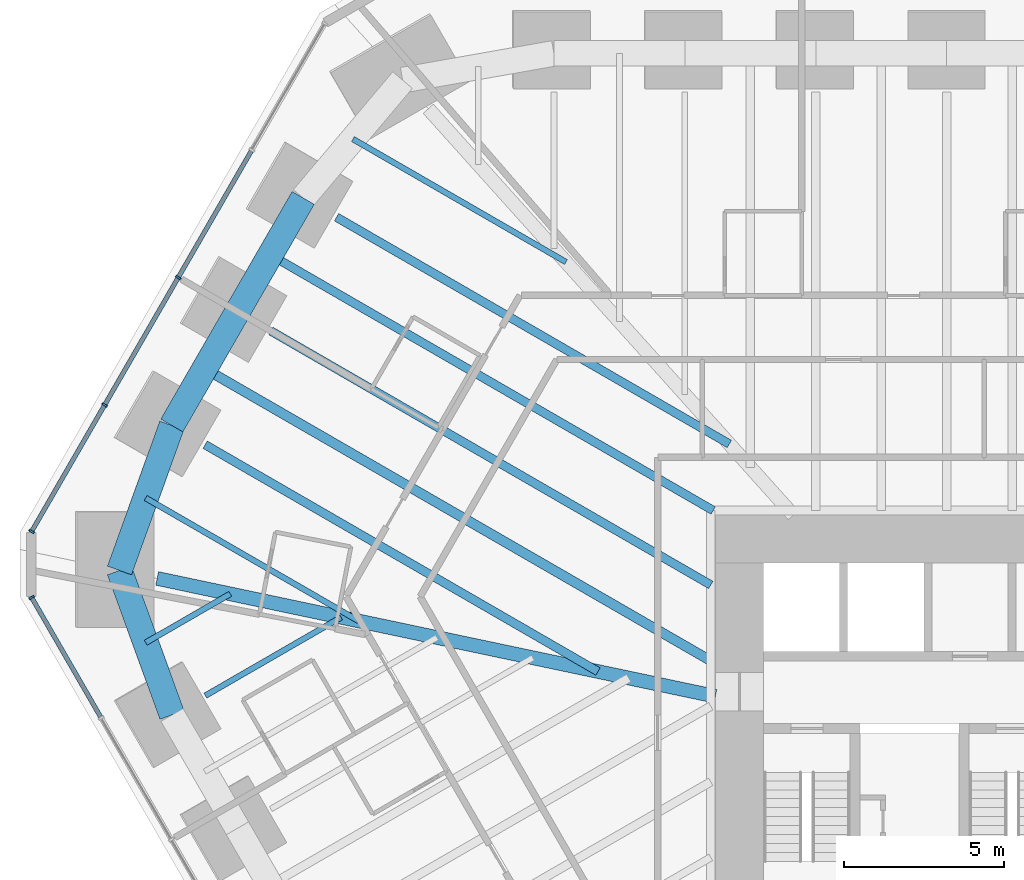
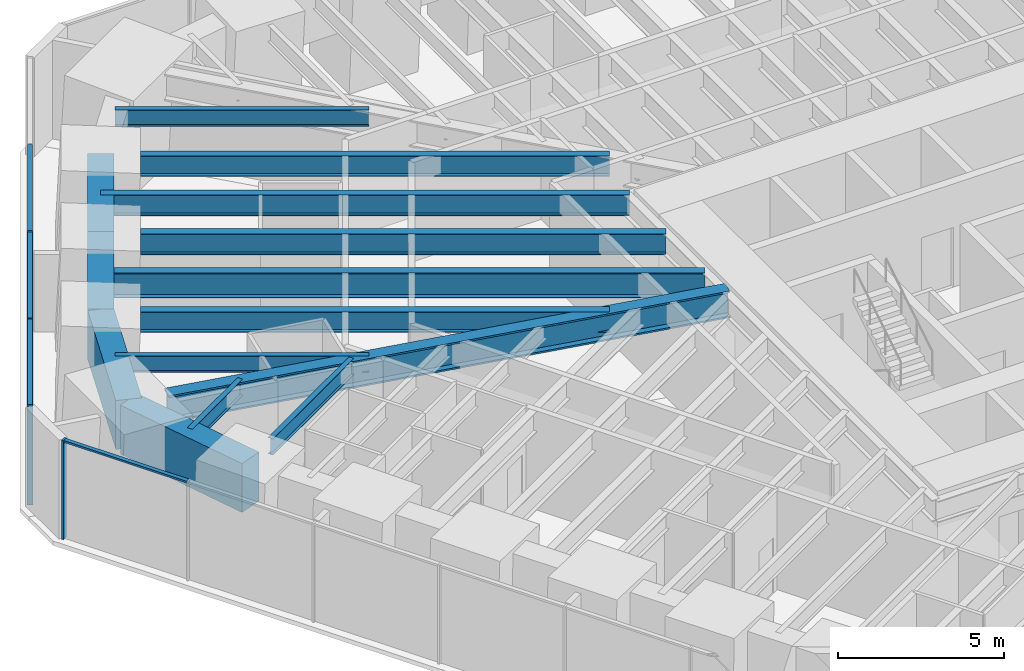
# One storey, part 7 of 17: 14 beams, 8 members, 2 elements without a shape of their own.
"""IFC4 building model written with IfcOpenShell, lengths in metres."""

from ifc_helpers import new_model, si_unit, direction, frame, origin, origin_2d, place, context, subcontext, project, spatial, rectangle, i_section, extrude, material, material_profile, profile_set, type_object, element, aggregate, save


model = new_model("IFC4")

# Units and contexts
model_context = context("Model", 3, precision=1e-05, world=origin(), true_north=direction((0.0, 1.0)))
body_context = subcontext(model_context, "Body", "Model", "MODEL_VIEW")
ifc_project = project(units=[si_unit("LENGTHUNIT", "METRE"), si_unit("AREAUNIT", "SQUARE_METRE"), si_unit("VOLUMEUNIT", "CUBIC_METRE"), si_unit("PLANEANGLEUNIT", "RADIAN"), si_unit("MASSUNIT", "GRAM", prefix="KILO")], contexts=[model_context])

# Site, building, storey
site_placement = place(None, origin())
site = spatial("IfcSite", under=ifc_project, at=site_placement, CompositionType="ELEMENT")
building_placement = place(site_placement, origin())
building = spatial("IfcBuilding", under=site, at=building_placement, Name="Sandreach Pilgrim Tower", CompositionType="ELEMENT")
storey_placement = place(building_placement, frame((0.0, 0.0, 72.39990234375)))
storey = spatial("IfcBuildingStorey", under=building, at=storey_placement, Name="L17", CompositionType="ELEMENT", Elevation=72.39990234375)

# Curtain wall, member
ifc_material_1 = material(Name="Aluminium framed curtain wall", Category="aluminium")
curtain_wall_type = type_object("IfcCurtainWallType", Name="Hostel tower curtain wall", PredefinedType="NOTDEFINED", material=ifc_material_1)
curtain_wall_1_placement = place(storey_placement, origin())
curtain_wall_1 = element("IfcCurtainWall", 1, at=curtain_wall_1_placement, inside=storey, type_object=curtain_wall_type, Name="CW-1 L17 SW", PredefinedType="NOTDEFINED")
ifc_material_2 = material(Name="Aluminium extrusion", Category="aluminium")
ifc_material_profile_1 = material_profile(ifc_material_2, rectangle(XDim=0.06494140625, YDim=0.179931640625, at=origin_2d()), Name="CW-1M 65X180")
ifc_profile_set_1 = profile_set([ifc_material_profile_1], Name="Aluminium extrusion")
member_type_1 = type_object("IfcMemberType", Name="CW-1 mullion", PredefinedType="MULLION", material=ifc_profile_set_1)
member_1_placement = place(storey_placement, frame((-30.56005859375, 5.033935546875, 0.0), z_axis=(0.0, 0.0, 1.0), x_axis=(-0.5, 0.866025403784, 0.0)))
member_1 = element("IfcMember", 2, at=member_1_placement, type_object=member_type_1, Name="CW-1 mullion 10", PredefinedType="MULLION", context=body_context, shape_type="SweptSolid", body=[
    extrude(rectangle(XDim=0.06494140625, YDim=0.179931640625, at=origin_2d()), origin(), (0.0, 0.0, 1.0), 3.64013671875),
])

# Curtain wall, members
curtain_wall_2_placement = place(storey_placement, origin())
curtain_wall_2 = element("IfcCurtainWall", 3, at=curtain_wall_2_placement, inside=storey, type_object=curtain_wall_type, Name="CW-1 L17 NW", PredefinedType="NOTDEFINED")
member_2_placement = place(storey_placement, frame((-30.56005859375, 7.09033203125, 0.0), z_axis=(0.0, 0.0, 1.0), x_axis=(0.5, 0.866025403784, 0.0)))
member_2 = element("IfcMember", 4, at=member_2_placement, type_object=member_type_1, Name="CW-1 mullion 1", PredefinedType="MULLION", context=body_context, shape_type="SweptSolid", body=[
    extrude(rectangle(XDim=0.06494140625, YDim=0.179931640625, at=origin_2d()), origin(), (0.0, 0.0, 1.0), 3.64013671875),
])
member_3_placement = place(storey_placement, frame((-28.283203125, 11.03369140625, 0.0), z_axis=(0.0, 0.0, 1.0), x_axis=(0.5, 0.866025403784, 0.0)))
member_3 = element("IfcMember", 5, at=member_3_placement, type_object=member_type_1, Name="CW-1 mullion 2", PredefinedType="MULLION", context=body_context, shape_type="SweptSolid", body=[
    extrude(rectangle(XDim=0.06494140625, YDim=0.179931640625, at=origin_2d()), origin(), (0.0, 0.0, 1.0), 3.64013671875),
])
member_4_placement = place(storey_placement, frame((-25.990234375, 15.00537109375, 0.0), z_axis=(0.0, 0.0, 1.0), x_axis=(0.5, 0.866025403784, 0.0)))
member_4 = element("IfcMember", 6, at=member_4_placement, type_object=member_type_1, Name="CW-1 mullion 3", PredefinedType="MULLION", context=body_context, shape_type="SweptSolid", body=[
    extrude(rectangle(XDim=0.06494140625, YDim=0.179931640625, at=origin_2d()), origin(), (0.0, 0.0, 1.0), 3.64013671875),
])

# Member
ifc_material_3 = material(Name="Aluminium extrusion", Category="aluminium")
ifc_material_profile_2 = material_profile(ifc_material_3, rectangle(XDim=0.139892578125, YDim=0.070068359375, at=origin_2d()), Name="CW-1T 140X70")
ifc_profile_set_2 = profile_set([ifc_material_profile_2], Name="Aluminium extrusion")
member_type_2 = type_object("IfcMemberType", Name="CW-1 transom", PredefinedType="USERDEFINED", material=ifc_profile_set_2)
member_5_placement = place(storey_placement, frame((-28.40673828125, 1.304443359375, 3.60498046875), z_axis=(-0.499991113271, 0.866030534479, 0.0), x_axis=(-0.866030534479, -0.499991113271, 0.0)))
member_5 = element("IfcMember", 7, at=member_5_placement, type_object=member_type_2, Name="CW-1 head transom 9", ObjectType="TRANSOM", PredefinedType="USERDEFINED", context=body_context, shape_type="SweptSolid", body=[
    extrude(rectangle(XDim=0.139892578125, YDim=0.070068359375, at=origin_2d()), origin(), (0.0, 0.0, 1.0), 4.27392578125),
])

aggregate(curtain_wall_1, [member_1, member_5])

member_6_placement = place(storey_placement, frame((-30.543701171875, 7.118408203125, 3.60498046875), z_axis=(0.499976706761, 0.866038851724, 0.0), x_axis=(-0.866038851724, 0.499976706761, 0.0)))
member_6 = element("IfcMember", 8, at=member_6_placement, type_object=member_type_2, Name="CW-1 head transom 1", ObjectType="TRANSOM", PredefinedType="USERDEFINED", context=body_context, shape_type="SweptSolid", body=[
    extrude(rectangle(XDim=0.139892578125, YDim=0.070068359375, at=origin_2d()), origin(), (0.0, 0.0, 1.0), 4.488525390625),
])

member_7_placement = place(storey_placement, frame((-28.266845703125, 11.06201171875, 3.60498046875), z_axis=(0.500001366228, 0.866024614991, 0.0), x_axis=(-0.866024614991, 0.500001366228, 0.0)))
member_7 = element("IfcMember", 9, at=member_7_placement, type_object=member_type_2, Name="CW-1 head transom 2", ObjectType="TRANSOM", PredefinedType="USERDEFINED", context=body_context, shape_type="SweptSolid", body=[
    extrude(rectangle(XDim=0.139892578125, YDim=0.070068359375, at=origin_2d()), origin(), (0.0, 0.0, 1.0), 4.52099609375),
])

member_8_placement = place(storey_placement, frame((-25.973876953125, 15.03369140625, 3.60498046875), z_axis=(0.500001366228, 0.866024614991, 0.0), x_axis=(-0.866024614991, 0.500001366228, 0.0)))
member_8 = element("IfcMember", 10, at=member_8_placement, type_object=member_type_2, Name="CW-1 head transom 3", ObjectType="TRANSOM", PredefinedType="USERDEFINED", context=body_context, shape_type="SweptSolid", body=[
    extrude(rectangle(XDim=0.139892578125, YDim=0.070068359375, at=origin_2d()), origin(), (0.0, 0.0, 1.0), 4.52099609375),
])

aggregate(curtain_wall_2, [member_2, member_3, member_4, member_6, member_7, member_8])

# Beams
ifc_material_4 = material(Name="Steel ASTM A992 Grade 50", Category="steel")
ifc_material_profile_3 = material_profile(ifc_material_4, i_section(OverallWidth=0.431884765625, OverallDepth=0.988037109375, WebThickness=0.034423828125, FlangeThickness=0.06201171875, at=origin_2d()), Name="W36X441")
ifc_profile_set_3 = profile_set([ifc_material_profile_3], Name="Steel ASTM A992 Grade 50")
beam_type_1 = type_object("IfcBeamType", Name="Corner girder W36X441", PredefinedType="BEAM", material=ifc_profile_set_3)
beam_1_placement = place(storey_placement, frame((-26.6484375, 5.626220703125, 3.14599609375), z_axis=(0.978430460956, -0.206576458177, 0.0), x_axis=(0.206576458177, 0.978430460956, 0.0)))
element("IfcBeam", 11, at=beam_1_placement, inside=storey, type_object=beam_type_1, Name="BM L17 CG35", PredefinedType="BEAM", context=body_context, shape_type="SweptSolid", body=[
    extrude(i_section(OverallWidth=0.431884765625, OverallDepth=0.988037109375, WebThickness=0.034423828125, FlangeThickness=0.06201171875, at=origin_2d()), origin(), (0.0, 0.0, 1.0), 17.781982421875),
])
ifc_material_5 = material(Name="Steel ASTM A992 Grade 50", Category="steel")
ifc_material_profile_4 = material_profile(ifc_material_5, i_section(OverallWidth=0.1787109375, OverallDepth=0.60205078125, WebThickness=0.010986328125, FlangeThickness=0.014892578125, at=origin_2d()), Name="W24X62")
ifc_profile_set_4 = profile_set([ifc_material_profile_4], Name="Steel ASTM A992 Grade 50")
beam_type_2 = type_object("IfcBeamType", Name="Floor beam W24X62", PredefinedType="BEAM", material=ifc_profile_set_4)
beam_2_placement = place(storey_placement, frame((-25.14599609375, 1.97265625, 3.339111328125), z_axis=(0.866017503598, 0.500013683274, 0.0), x_axis=(-0.500013683274, 0.866017503598, 0.0)))
element("IfcBeam", 12, at=beam_2_placement, inside=storey, type_object=beam_type_2, Name="BM L17 F34", PredefinedType="BEAM", context=body_context, shape_type="SweptSolid", body=[
    extrude(i_section(OverallWidth=0.1787109375, OverallDepth=0.60205078125, WebThickness=0.010986328125, FlangeThickness=0.014892578125, at=origin_2d()), origin(), (0.0, 0.0, 1.0), 4.885986328125),
])
beam_3_placement = place(storey_placement, frame((-27.00390625, 3.62353515625, 3.339111328125), z_axis=(0.866042639228, 0.499970146148, 0.0), x_axis=(-0.499970146148, 0.866042639228, 0.0)))
element("IfcBeam", 13, at=beam_3_placement, inside=storey, type_object=beam_type_2, Name="BM L17 FM34", PredefinedType="BEAM", context=body_context, shape_type="SweptSolid", body=[
    extrude(i_section(OverallWidth=0.1787109375, OverallDepth=0.60205078125, WebThickness=0.010986328125, FlangeThickness=0.014892578125, at=origin_2d()), origin(), (0.0, 0.0, 1.0), 3.043212890625),
])
for number, where, z_axis, x_axis, name in (
    (14, (-27.00634765625, 8.1337890625, 3.339111328125), (0.866024401789, -0.500001735503, 0.0), (0.500001735503, 0.866024401789, 0.0), "BM L17 FM35"),
    (15, (-20.54736328125, 19.3212890625, 3.339111328125), (0.866024401789, -0.500001735503, 0.0), (0.500001735503, 0.866024401789, 0.0), "BM L17 FM38"),
):
    element("IfcBeam", number, at=place(storey_placement, frame(where, z_axis=z_axis, x_axis=x_axis)), inside=storey, type_object=beam_type_2, Name=name, PredefinedType="BEAM", context=body_context, shape_type="SweptSolid", body=[
        extrude(i_section(OverallWidth=0.1787109375, OverallDepth=0.60205078125, WebThickness=0.010986328125, FlangeThickness=0.014892578125, at=origin_2d()), origin(), (0.0, 0.0, 1.0), 7.66796875),
    ])
ifc_material_6 = material(Name="Steel ASTM A992 Grade 50", Category="steel")
ifc_material_profile_5 = material_profile(ifc_material_6, i_section(OverallWidth=0.2666015625, OverallDepth=0.761962890625, WebThickness=0.014404296875, FlangeThickness=0.021484375, at=origin_2d()), Name="W30X116")
ifc_profile_set_5 = profile_set([ifc_material_profile_5], Name="Steel ASTM A992 Grade 50")
beam_type_3 = type_object("IfcBeamType", Name="Floor beam W30X116", PredefinedType="BEAM", material=ifc_profile_set_5)
for number, where, z_axis, x_axis, name in (
    (16, (-25.151123046875, 9.79345703125, 3.259033203125), (0.8660259613, -0.499999034354, 0.0), (0.499999034354, 0.8660259613, 0.0), "BM L17 F36"),
    (17, (-21.056884765625, 16.884765625, 3.259033203125), (0.8660259613, -0.499999034354, 0.0), (0.499999034354, 0.8660259613, 0.0), "BM L17 F38"),
):
    element("IfcBeam", number, at=place(storey_placement, frame(where, z_axis=z_axis, x_axis=x_axis)), inside=storey, type_object=beam_type_3, Name=name, PredefinedType="BEAM", context=body_context, shape_type="SweptSolid", body=[
        extrude(i_section(OverallWidth=0.2666015625, OverallDepth=0.761962890625, WebThickness=0.014404296875, FlangeThickness=0.021484375, at=origin_2d()), origin(), (0.0, 0.0, 1.0), 14.1357421875),
    ])
ifc_material_7 = material(Name="Steel ASTM A992 Grade 50", Category="steel")
ifc_material_profile_6 = material_profile(ifc_material_7, i_section(OverallWidth=0.2666015625, OverallDepth=0.77978515625, WebThickness=0.0166015625, FlangeThickness=0.030029296875, at=origin_2d()), Name="W30X148")
ifc_profile_set_6 = profile_set([ifc_material_profile_6], Name="Steel ASTM A992 Grade 50")
beam_type_4 = type_object("IfcBeamType", Name="Floor beam W30X148", PredefinedType="BEAM", material=ifc_profile_set_6)
beam_4_placement = place(storey_placement, frame((-23.10400390625, 13.339111328125, 3.250244140625), z_axis=(0.866028166699, -0.499995214461, 0.0), x_axis=(0.499995214461, 0.866028166699, 0.0)))
element("IfcBeam", 18, at=beam_4_placement, inside=storey, type_object=beam_type_4, Name="BM L17 F37", PredefinedType="BEAM", context=body_context, shape_type="SweptSolid", body=[
    extrude(i_section(OverallWidth=0.2666015625, OverallDepth=0.77978515625, WebThickness=0.0166015625, FlangeThickness=0.030029296875, at=origin_2d()), origin(), (0.0, 0.0, 1.0), 15.831787109375),
])
beam_5_placement = place(storey_placement, frame((-23.119873046875, 15.7119140625, 3.250244140625), z_axis=(0.86603150707, -0.49998942865, 0.0), x_axis=(0.49998942865, 0.86603150707, 0.0)))
element("IfcBeam", 19, at=beam_5_placement, inside=storey, type_object=beam_type_4, Name="BM L17 FM37", PredefinedType="BEAM", context=body_context, shape_type="SweptSolid", body=[
    extrude(i_section(OverallWidth=0.2666015625, OverallDepth=0.77978515625, WebThickness=0.0166015625, FlangeThickness=0.030029296875, at=origin_2d()), origin(), (0.0, 0.0, 1.0), 15.937255859375),
])
ifc_material_8 = material(Name="Steel ASTM A992 Grade 50", Category="steel")
ifc_material_profile_7 = material_profile(ifc_material_8, i_section(OverallWidth=0.3046875, OverallDepth=0.914306640625, WebThickness=0.0166015625, FlangeThickness=0.02587890625, at=origin_2d()), Name="W36X160")
ifc_profile_set_7 = profile_set([ifc_material_profile_7], Name="Steel ASTM A992 Grade 50")
beam_type_5 = type_object("IfcBeamType", Name="Floor beam W36X160", PredefinedType="BEAM", material=ifc_profile_set_7)
beam_6_placement = place(storey_placement, frame((-25.166748046875, 12.166259765625, 3.182861328125), z_axis=(0.866027993583, -0.499995514311, 0.0), x_axis=(0.499995514311, 0.866027993583, 0.0)))
element("IfcBeam", 20, at=beam_6_placement, inside=storey, type_object=beam_type_5, Name="BM L17 FM36", PredefinedType="BEAM", context=body_context, shape_type="SweptSolid", body=[
    extrude(i_section(OverallWidth=0.3046875, OverallDepth=0.914306640625, WebThickness=0.0166015625, FlangeThickness=0.02587890625, at=origin_2d()), origin(), (0.0, 0.0, 1.0), 18.213623046875),
])
ifc_material_9 = material(Name="Concrete 10000 psi", Category="concrete")
ifc_material_profile_8 = material_profile(ifc_material_9, rectangle(XDim=0.800048828125, YDim=1.800048828125, at=origin_2d()), Name="RC800X1800")
ifc_profile_set_8 = profile_set([ifc_material_profile_8], Name="Concrete 10000 psi")
beam_type_6 = type_object("IfcBeamType", Name="Spandrel beam RC800X1800", PredefinedType="SPANDREL", material=ifc_profile_set_8)
beam_7_placement = place(storey_placement, frame((-26.18505859375, 1.372802734375, 2.739990234375), z_axis=(-0.341845369987, 0.939756214674, 0.0), x_axis=(-0.939756214674, -0.341845369987, 0.0)))
element("IfcBeam", 21, at=beam_7_placement, inside=storey, type_object=beam_type_6, Name="BM L17 SP34", PredefinedType="SPANDREL", context=body_context, shape_type="SweptSolid", body=[
    extrude(rectangle(XDim=0.800048828125, YDim=1.800048828125, at=origin_2d()), origin(), (0.0, 0.0, 1.0), 4.7900390625),
])
beam_8_placement = place(storey_placement, frame((-27.822509765625, 5.874267578125, 2.739990234375), z_axis=(0.339665689491, 0.94054623458, 0.0), x_axis=(-0.94054623458, 0.339665689491, 0.0)))
element("IfcBeam", 22, at=beam_8_placement, inside=storey, type_object=beam_type_6, Name="BM L17 SP35", PredefinedType="SPANDREL", context=body_context, shape_type="SweptSolid", body=[
    extrude(rectangle(XDim=0.800048828125, YDim=1.800048828125, at=origin_2d()), origin(), (0.0, 0.0, 1.0), 4.804931640625),
])
for number, where, z_axis, x_axis, name in (
    (23, (-26.1904296875, 10.3935546875, 2.739990234375), (0.500006352507, 0.866021736132, 0.0), (-0.866021736132, 0.500006352507, 0.0), "BM L17 SP36"),
    (24, (-24.143310546875, 13.939208984375, 2.739990234375), (0.500006352507, 0.866021736132, 0.0), (-0.866021736132, 0.500006352507, 0.0), "BM L17 SP37"),
):
    element("IfcBeam", number, at=place(storey_placement, frame(where, z_axis=z_axis, x_axis=x_axis)), inside=storey, type_object=beam_type_6, Name=name, PredefinedType="SPANDREL", context=body_context, shape_type="SweptSolid", body=[
        extrude(rectangle(XDim=0.800048828125, YDim=1.800048828125, at=origin_2d()), origin(), (0.0, 0.0, 1.0), 4.09423828125),
    ])

save(model, "model.ifc")
